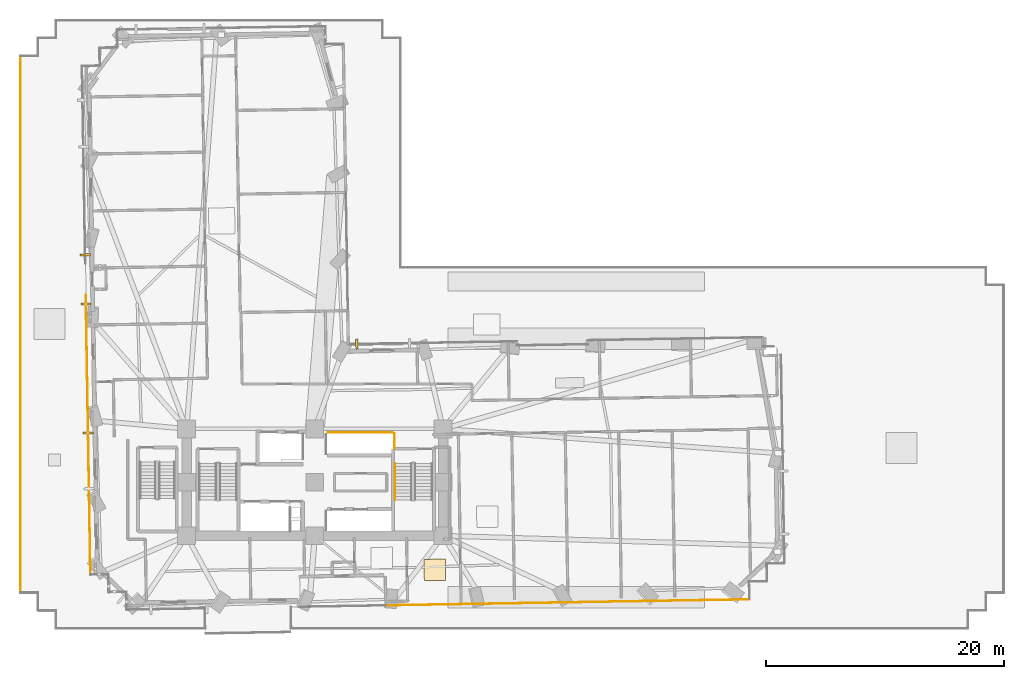
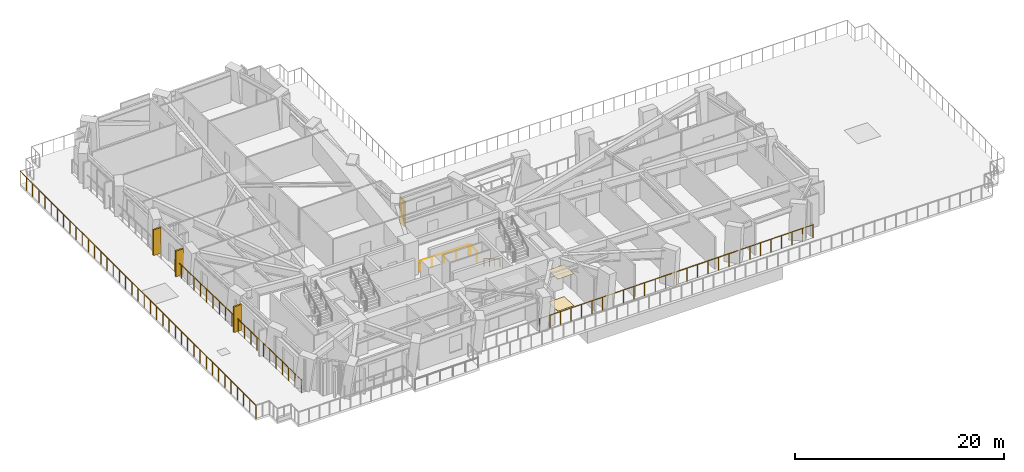
# One storey, part 12 of 17: 6 railings, 4 shading devices, 2 coverings.
"""IFC4 building model written with IfcOpenShell, lengths in metres."""

from ifc_helpers import new_model, si_unit, direction, frame, origin, origin_2d, place, context, subcontext, project, spatial, rectangle, circle, extrude, material, layer, layer_set, type_object, element, save


model = new_model("IFC4")

# Units and contexts
model_context = context("Model", 3, precision=1e-05, world=origin(), true_north=direction((0.0, 1.0)))
body_context = subcontext(model_context, "Body", "Model", "MODEL_VIEW")
ifc_project = project(units=[si_unit("LENGTHUNIT", "METRE"), si_unit("AREAUNIT", "SQUARE_METRE"), si_unit("VOLUMEUNIT", "CUBIC_METRE"), si_unit("PLANEANGLEUNIT", "RADIAN"), si_unit("MASSUNIT", "GRAM", prefix="KILO")], contexts=[model_context])

# Site, building, storey
site_placement = place(None, origin())
site = spatial("IfcSite", under=ifc_project, at=site_placement, CompositionType="ELEMENT")
building_placement = place(site_placement, origin())
building = spatial("IfcBuilding", under=site, at=building_placement, Name="Gaonmaruhae Medical Tower", CompositionType="ELEMENT")
storey_placement = place(building_placement, frame((0.0, 0.0, 27.0)))
storey = spatial("IfcBuildingStorey", under=building, at=storey_placement, Name="L05", CompositionType="ELEMENT", Elevation=27.0)

# Coverings
ifc_material_1 = material(Name="Acoustic mineral ceiling tile", Category="finish")
ifc_layer_1 = layer(ifc_material_1, 0.02490234375)
ifc_layer_set_1 = layer_set([ifc_layer_1], Name="Acoustic mineral ceiling tile")
covering_type_1 = type_object("IfcCoveringType", Name="CLG-01 Antimicrobial Acoustic Mineral Ceiling", PredefinedType="CEILING", material=ifc_layer_set_1)
covering_1_placement = place(storey_placement, frame((34.899658203125, 4.928466796875, 3.735107421875), z_axis=(0.0, 0.0, 1.0), x_axis=(0.999862544538, 0.016579868188, 0.0)))
element("IfcCovering", 1, at=covering_1_placement, inside=storey, type_object=covering_type_1, Name="L05 Clinical Room Acoustic Ceiling 3", PredefinedType="CEILING", context=body_context, shape_type="SweptSolid", body=[
    extrude(rectangle(XDim=1.800048828125, YDim=1.800048828125, at=origin_2d()), origin(), (0.0, 0.0, 1.0), 0.02490234375),
])
ifc_material_2 = material(Name="Seamless clinical vinyl flooring", Category="finish")
ifc_layer_2 = layer(ifc_material_2, 0.014892578125)
ifc_layer_set_2 = layer_set([ifc_layer_2], Name="Seamless clinical vinyl flooring")
covering_type_2 = type_object("IfcCoveringType", Name="FLR-01 Seamless Clinical Antistatic Vinyl Flooring", PredefinedType="FLOORING", material=ifc_layer_set_2)
covering_2_placement = place(storey_placement, frame((34.899658203125, 4.928466796875, 0.0), z_axis=(0.0, 0.0, 1.0), x_axis=(0.999862544538, 0.016579868188, 0.0)))
element("IfcCovering", 2, at=covering_2_placement, inside=storey, type_object=covering_type_2, Name="L05 Clinical Room Vinyl Flooring 3", PredefinedType="FLOORING", context=body_context, shape_type="SweptSolid", body=[
    extrude(rectangle(XDim=1.800048828125, YDim=1.800048828125, at=origin_2d()), origin(), (0.0, 0.0, 1.0), 0.014892578125),
])

# Railings
ifc_material_3 = material(Name="Stainless steel 316L and laminated safety glass", Category="steel")
ifc_layer_3 = layer(ifc_material_3, 0.080078125)
ifc_layer_set_3 = layer_set([ifc_layer_3], Name="Stainless steel 316L and laminated safety glass")
railing_type_1 = type_object("IfcRailingType", Name="GD-155 Planter-Edge Raised Safety Balustrade", PredefinedType="BALUSTRADE", material=ifc_layer_set_3)
railing_1_placement = place(storey_placement, frame((0.0, 3.0, 0.0)))
element("IfcRailing", 3, at=railing_1_placement, inside=storey, type_object=railing_type_1, Name="L05 Terrace Safety Guard RL-SLB-L05-PODROOF1-04", PredefinedType="BALUSTRADE", context=body_context, shape_type="SweptSolid", body=[
    extrude(circle(Radius=0.02392578125, at=origin_2d()), frame((0.0, 0.0, 1.52587890625), z_axis=(0.0, 1.0, 0.0), x_axis=(-1.0, 0.0, 0.0)), (0.0, 0.0, 1.0), 45.199951171875),
    extrude(circle(Radius=0.02099609375, at=origin_2d()), origin(), (0.0, 0.0, 1.0), 1.501953125),
    extrude(circle(Radius=0.02099609375, at=origin_2d()), frame((0.0, 1.189453125, 0.0)), (0.0, 0.0, 1.0), 1.501953125),
    extrude(circle(Radius=0.02099609375, at=origin_2d()), frame((0.0, 2.37890625, 0.0)), (0.0, 0.0, 1.0), 1.501953125),
    extrude(circle(Radius=0.02099609375, at=origin_2d()), frame((0.0, 3.568359375, 0.0)), (0.0, 0.0, 1.0), 1.501953125),
    extrude(circle(Radius=0.02099609375, at=origin_2d()), frame((0.0, 4.7578125, 0.0)), (0.0, 0.0, 1.0), 1.501953125),
    extrude(circle(Radius=0.02099609375, at=origin_2d()), frame((0.0, 5.947265625, 0.0)), (0.0, 0.0, 1.0), 1.501953125),
    extrude(circle(Radius=0.02099609375, at=origin_2d()), frame((0.0, 7.13671875, 0.0)), (0.0, 0.0, 1.0), 1.501953125),
    extrude(circle(Radius=0.02099609375, at=origin_2d()), frame((0.0, 8.326416015625, 0.0)), (0.0, 0.0, 1.0), 1.501953125),
    extrude(circle(Radius=0.02099609375, at=origin_2d()), frame((0.0, 9.515869140625, 0.0)), (0.0, 0.0, 1.0), 1.501953125),
    extrude(circle(Radius=0.02099609375, at=origin_2d()), frame((0.0, 10.705322265625, 0.0)), (0.0, 0.0, 1.0), 1.501953125),
    extrude(circle(Radius=0.02099609375, at=origin_2d()), frame((0.0, 11.894775390625, 0.0)), (0.0, 0.0, 1.0), 1.501953125),
    extrude(circle(Radius=0.02099609375, at=origin_2d()), frame((0.0, 13.084228515625, 0.0)), (0.0, 0.0, 1.0), 1.501953125),
    extrude(circle(Radius=0.02099609375, at=origin_2d()), frame((0.0, 14.273681640625, 0.0)), (0.0, 0.0, 1.0), 1.501953125),
    extrude(circle(Radius=0.02099609375, at=origin_2d()), frame((0.0, 15.463134765625, 0.0)), (0.0, 0.0, 1.0), 1.501953125),
    extrude(circle(Radius=0.02099609375, at=origin_2d()), frame((0.0, 16.652587890625, 0.0)), (0.0, 0.0, 1.0), 1.501953125),
    extrude(circle(Radius=0.02099609375, at=origin_2d()), frame((0.0, 17.842041015625, 0.0)), (0.0, 0.0, 1.0), 1.501953125),
    extrude(circle(Radius=0.02099609375, at=origin_2d()), frame((0.0, 19.031494140625, 0.0)), (0.0, 0.0, 1.0), 1.501953125),
    extrude(circle(Radius=0.02099609375, at=origin_2d()), frame((0.0, 20.220947265625, 0.0)), (0.0, 0.0, 1.0), 1.501953125),
    extrude(circle(Radius=0.02099609375, at=origin_2d()), frame((0.0, 21.410400390625, 0.0)), (0.0, 0.0, 1.0), 1.501953125),
    extrude(circle(Radius=0.02099609375, at=origin_2d()), frame((0.0, 22.60009765625, 0.0)), (0.0, 0.0, 1.0), 1.501953125),
    extrude(circle(Radius=0.02099609375, at=origin_2d()), frame((0.0, 23.78955078125, 0.0)), (0.0, 0.0, 1.0), 1.501953125),
    extrude(circle(Radius=0.02099609375, at=origin_2d()), frame((0.0, 24.97900390625, 0.0)), (0.0, 0.0, 1.0), 1.501953125),
    extrude(circle(Radius=0.02099609375, at=origin_2d()), frame((0.0, 26.16845703125, 0.0)), (0.0, 0.0, 1.0), 1.501953125),
    extrude(circle(Radius=0.02099609375, at=origin_2d()), frame((0.0, 27.35791015625, 0.0)), (0.0, 0.0, 1.0), 1.501953125),
    extrude(circle(Radius=0.02099609375, at=origin_2d()), frame((0.0, 28.54736328125, 0.0)), (0.0, 0.0, 1.0), 1.501953125),
    extrude(circle(Radius=0.02099609375, at=origin_2d()), frame((0.0, 29.73681640625, 0.0)), (0.0, 0.0, 1.0), 1.501953125),
    extrude(circle(Radius=0.02099609375, at=origin_2d()), frame((0.0, 30.92626953125, 0.0)), (0.0, 0.0, 1.0), 1.501953125),
    extrude(circle(Radius=0.02099609375, at=origin_2d()), frame((0.0, 32.11572265625, 0.0)), (0.0, 0.0, 1.0), 1.501953125),
    extrude(circle(Radius=0.02099609375, at=origin_2d()), frame((0.0, 33.30517578125, 0.0)), (0.0, 0.0, 1.0), 1.501953125),
    extrude(circle(Radius=0.02099609375, at=origin_2d()), frame((0.0, 34.49462890625, 0.0)), (0.0, 0.0, 1.0), 1.501953125),
    extrude(circle(Radius=0.02099609375, at=origin_2d()), frame((0.0, 35.68408203125, 0.0)), (0.0, 0.0, 1.0), 1.501953125),
    extrude(circle(Radius=0.02099609375, at=origin_2d()), frame((0.0, 36.87353515625, 0.0)), (0.0, 0.0, 1.0), 1.501953125),
    extrude(circle(Radius=0.02099609375, at=origin_2d()), frame((0.0, 38.063232421875, 0.0)), (0.0, 0.0, 1.0), 1.501953125),
    extrude(circle(Radius=0.02099609375, at=origin_2d()), frame((0.0, 39.252685546875, 0.0)), (0.0, 0.0, 1.0), 1.501953125),
    extrude(circle(Radius=0.02099609375, at=origin_2d()), frame((0.0, 40.442138671875, 0.0)), (0.0, 0.0, 1.0), 1.501953125),
    extrude(circle(Radius=0.02099609375, at=origin_2d()), frame((0.0, 41.631591796875, 0.0)), (0.0, 0.0, 1.0), 1.501953125),
    extrude(circle(Radius=0.02099609375, at=origin_2d()), frame((0.0, 42.821044921875, 0.0)), (0.0, 0.0, 1.0), 1.501953125),
    extrude(circle(Radius=0.02099609375, at=origin_2d()), frame((0.0, 44.010498046875, 0.0)), (0.0, 0.0, 1.0), 1.501953125),
    extrude(circle(Radius=0.02099609375, at=origin_2d()), frame((0.0, 45.199951171875, 0.0)), (0.0, 0.0, 1.0), 1.501953125),
])
railing_2_placement = place(storey_placement, frame((30.764892578125, 1.9296875, 0.0)))
element("IfcRailing", 4, at=railing_2_placement, inside=storey, type_object=railing_type_1, Name="L05 Terrace Safety Guard RL-SLB-L05-PODROOF1-25", PredefinedType="BALUSTRADE", context=body_context, shape_type="SweptSolid", body=[
    extrude(circle(Radius=0.02392578125, at=origin_2d()), frame((0.0, 0.0, 1.52587890625), z_axis=(0.999862414936, 0.016587682135, 0.0), x_axis=(-0.016587682135, 0.999862414936, 0.0)), (0.0, 0.0, 1.0), 30.61376953125),
    extrude(circle(Radius=0.02099609375, at=origin_2d()), origin(), (0.0, 0.0, 1.0), 1.501953125),
    extrude(circle(Radius=0.02099609375, at=origin_2d()), frame((1.17724609375, 0.01953125, 0.0)), (0.0, 0.0, 1.0), 1.501953125),
    extrude(circle(Radius=0.02099609375, at=origin_2d()), frame((2.3544921875, 0.0390625, 0.0)), (0.0, 0.0, 1.0), 1.501953125),
    extrude(circle(Radius=0.02099609375, at=origin_2d()), frame((3.531982421875, 0.05859375, 0.0)), (0.0, 0.0, 1.0), 1.501953125),
    extrude(circle(Radius=0.02099609375, at=origin_2d()), frame((4.709228515625, 0.078125, 0.0)), (0.0, 0.0, 1.0), 1.501953125),
    extrude(circle(Radius=0.02099609375, at=origin_2d()), frame((5.886474609375, 0.09765625, 0.0)), (0.0, 0.0, 1.0), 1.501953125),
    extrude(circle(Radius=0.02099609375, at=origin_2d()), frame((7.063720703125, 0.1171875, 0.0)), (0.0, 0.0, 1.0), 1.501953125),
    extrude(circle(Radius=0.02099609375, at=origin_2d()), frame((8.240966796875, 0.13671875, 0.0)), (0.0, 0.0, 1.0), 1.501953125),
    extrude(circle(Radius=0.02099609375, at=origin_2d()), frame((9.41845703125, 0.15625, 0.0)), (0.0, 0.0, 1.0), 1.501953125),
    extrude(circle(Radius=0.02099609375, at=origin_2d()), frame((10.595703125, 0.17578125, 0.0)), (0.0, 0.0, 1.0), 1.501953125),
    extrude(circle(Radius=0.02099609375, at=origin_2d()), frame((11.77294921875, 0.1953125, 0.0)), (0.0, 0.0, 1.0), 1.501953125),
    extrude(circle(Radius=0.02099609375, at=origin_2d()), frame((12.9501953125, 0.21484375, 0.0)), (0.0, 0.0, 1.0), 1.501953125),
    extrude(circle(Radius=0.02099609375, at=origin_2d()), frame((14.12744140625, 0.234375, 0.0)), (0.0, 0.0, 1.0), 1.501953125),
    extrude(circle(Radius=0.02099609375, at=origin_2d()), frame((15.3046875, 0.25390625, 0.0)), (0.0, 0.0, 1.0), 1.501953125),
    extrude(circle(Radius=0.02099609375, at=origin_2d()), frame((16.482177734375, 0.2734375, 0.0)), (0.0, 0.0, 1.0), 1.501953125),
    extrude(circle(Radius=0.02099609375, at=origin_2d()), frame((17.659423828125, 0.29296875, 0.0)), (0.0, 0.0, 1.0), 1.501953125),
    extrude(circle(Radius=0.02099609375, at=origin_2d()), frame((18.836669921875, 0.3125, 0.0)), (0.0, 0.0, 1.0), 1.501953125),
    extrude(circle(Radius=0.02099609375, at=origin_2d()), frame((20.013916015625, 0.33203125, 0.0)), (0.0, 0.0, 1.0), 1.501953125),
    extrude(circle(Radius=0.02099609375, at=origin_2d()), frame((21.191162109375, 0.3515625, 0.0)), (0.0, 0.0, 1.0), 1.501953125),
    extrude(circle(Radius=0.02099609375, at=origin_2d()), frame((22.36865234375, 0.37109375, 0.0)), (0.0, 0.0, 1.0), 1.501953125),
    extrude(circle(Radius=0.02099609375, at=origin_2d()), frame((23.5458984375, 0.390625, 0.0)), (0.0, 0.0, 1.0), 1.501953125),
    extrude(circle(Radius=0.02099609375, at=origin_2d()), frame((24.72314453125, 0.41015625, 0.0)), (0.0, 0.0, 1.0), 1.501953125),
    extrude(circle(Radius=0.02099609375, at=origin_2d()), frame((25.900390625, 0.4296875, 0.0)), (0.0, 0.0, 1.0), 1.501953125),
    extrude(circle(Radius=0.02099609375, at=origin_2d()), frame((27.07763671875, 0.44921875, 0.0)), (0.0, 0.0, 1.0), 1.501953125),
    extrude(circle(Radius=0.02099609375, at=origin_2d()), frame((28.255126953125, 0.46875, 0.0)), (0.0, 0.0, 1.0), 1.501953125),
    extrude(circle(Radius=0.02099609375, at=origin_2d()), frame((29.432373046875, 0.48828125, 0.0)), (0.0, 0.0, 1.0), 1.501953125),
    extrude(circle(Radius=0.02099609375, at=origin_2d()), frame((30.609619140625, 0.5078125, 0.0)), (0.0, 0.0, 1.0), 1.501953125),
])
railing_3_placement = place(storey_placement, frame((5.522216796875, 28.051025390625, 0.0)))
element("IfcRailing", 5, at=railing_3_placement, inside=storey, type_object=railing_type_1, Name="L05 Terrace Safety Guard RL-SLB-L05-PODROOF1-256B", PredefinedType="BALUSTRADE", context=body_context, shape_type="SweptSolid", body=[
    extrude(circle(Radius=0.02392578125, at=origin_2d()), frame((0.0, 0.0, 1.52587890625), z_axis=(0.016579763951, -0.999862546267, 0.0), x_axis=(0.999862546267, 0.016579763951, 0.0)), (0.0, 0.0, 1.0), 23.51611328125),
    extrude(circle(Radius=0.02099609375, at=origin_2d()), origin(), (0.0, 0.0, 1.0), 1.501953125),
    extrude(circle(Radius=0.02099609375, at=origin_2d()), frame((0.01953125, -1.175537109375, 0.0)), (0.0, 0.0, 1.0), 1.501953125),
    extrude(circle(Radius=0.02099609375, at=origin_2d()), frame((0.0390625, -2.351318359375, 0.0)), (0.0, 0.0, 1.0), 1.501953125),
    extrude(circle(Radius=0.02099609375, at=origin_2d()), frame((0.05859375, -3.52685546875, 0.0)), (0.0, 0.0, 1.0), 1.501953125),
    extrude(circle(Radius=0.02099609375, at=origin_2d()), frame((0.077880859375, -4.70263671875, 0.0)), (0.0, 0.0, 1.0), 1.501953125),
    extrude(circle(Radius=0.02099609375, at=origin_2d()), frame((0.097412109375, -5.878173828125, 0.0)), (0.0, 0.0, 1.0), 1.501953125),
    extrude(circle(Radius=0.02099609375, at=origin_2d()), frame((0.116943359375, -7.053955078125, 0.0)), (0.0, 0.0, 1.0), 1.501953125),
    extrude(circle(Radius=0.02099609375, at=origin_2d()), frame((0.136474609375, -8.2294921875, 0.0)), (0.0, 0.0, 1.0), 1.501953125),
    extrude(circle(Radius=0.02099609375, at=origin_2d()), frame((0.156005859375, -9.4052734375, 0.0)), (0.0, 0.0, 1.0), 1.501953125),
    extrude(circle(Radius=0.02099609375, at=origin_2d()), frame((0.175537109375, -10.580810546875, 0.0)), (0.0, 0.0, 1.0), 1.501953125),
    extrude(circle(Radius=0.02099609375, at=origin_2d()), frame((0.19482421875, -11.75634765625, 0.0)), (0.0, 0.0, 1.0), 1.501953125),
    extrude(circle(Radius=0.02099609375, at=origin_2d()), frame((0.21435546875, -12.93212890625, 0.0)), (0.0, 0.0, 1.0), 1.501953125),
    extrude(circle(Radius=0.02099609375, at=origin_2d()), frame((0.23388671875, -14.107666015625, 0.0)), (0.0, 0.0, 1.0), 1.501953125),
    extrude(circle(Radius=0.02099609375, at=origin_2d()), frame((0.25341796875, -15.283447265625, 0.0)), (0.0, 0.0, 1.0), 1.501953125),
    extrude(circle(Radius=0.02099609375, at=origin_2d()), frame((0.27294921875, -16.458984375, 0.0)), (0.0, 0.0, 1.0), 1.501953125),
    extrude(circle(Radius=0.02099609375, at=origin_2d()), frame((0.29248046875, -17.634765625, 0.0)), (0.0, 0.0, 1.0), 1.501953125),
    extrude(circle(Radius=0.02099609375, at=origin_2d()), frame((0.31201171875, -18.810302734375, 0.0)), (0.0, 0.0, 1.0), 1.501953125),
    extrude(circle(Radius=0.02099609375, at=origin_2d()), frame((0.331298828125, -19.986083984375, 0.0)), (0.0, 0.0, 1.0), 1.501953125),
    extrude(circle(Radius=0.02099609375, at=origin_2d()), frame((0.350830078125, -21.16162109375, 0.0)), (0.0, 0.0, 1.0), 1.501953125),
    extrude(circle(Radius=0.02099609375, at=origin_2d()), frame((0.370361328125, -22.33740234375, 0.0)), (0.0, 0.0, 1.0), 1.501953125),
    extrude(circle(Radius=0.02099609375, at=origin_2d()), frame((0.389892578125, -23.512939453125, 0.0)), (0.0, 0.0, 1.0), 1.501953125),
])
ifc_material_4 = material(Name="Stainless steel 304 handrail", Category="steel")
railing_type_2 = type_object("IfcRailingType", Name="HR-092 Continuous Stainless Steel Stair Handrail", PredefinedType="HANDRAIL", material=ifc_material_4)
railing_4_placement = place(storey_placement, frame((31.550048828125, 13.89990234375, 0.166748046875)))
element("IfcRailing", 6, at=railing_4_placement, inside=storey, type_object=railing_type_2, Name="L05 ST-02 stair handrail 1", PredefinedType="HANDRAIL", context=body_context, shape_type="SweptSolid", body=[
    extrude(circle(Radius=0.02392578125, at=origin_2d()), frame((0.0, 0.0, 0.8759765625), z_axis=(0.0, -0.859290745958, 0.51148745235), x_axis=(1.0, 0.0, 0.0)), (0.0, 0.0, 1.0), 3.584228515625),
    extrude(circle(Radius=0.02099609375, at=origin_2d()), origin(), (0.0, 0.0, 1.0), 0.851806640625),
    extrude(circle(Radius=0.02099609375, at=origin_2d()), frame((0.0, -1.026611328125, 0.611083984375)), (0.0, 0.0, 1.0), 0.851806640625),
    extrude(circle(Radius=0.02099609375, at=origin_2d()), frame((0.0, -2.05322265625, 1.22216796875)), (0.0, 0.0, 1.0), 0.851806640625),
    extrude(circle(Radius=0.02099609375, at=origin_2d()), frame((0.0, -3.079833984375, 1.833251953125)), (0.0, 0.0, 1.0), 0.851806640625),
])

# Shading devices
ifc_material_5 = material(Name="Pigmented coral precast concrete C45/55", Category="concrete")
shading_device_type = type_object("IfcShadingDeviceType", Name="SD-FIN1 Tower Vertical Coral Precast Shading Fin", PredefinedType="USERDEFINED", material=ifc_material_5)
for number, where, z_axis, x_axis, name in (
    (7, (28.330810546875, 23.927490234375, 0.08251953125), (0.0, 0.0, 1.0), (0.999862544538, 0.016579868188, 0.0), "L05 Vertical Coral Precast Shading Fin EN04"),
    (8, (5.539306640625, 27.315185546875, 0.08251953125), (0.0, 0.0, 1.0), (-0.016562417292, 0.999862833759, 0.0), "L05 Vertical Coral Precast Shading Fin W03"),
    (9, (5.470703125, 31.452392578125, 0.08251953125), (0.0, 0.0, 1.0), (-0.016562417292, 0.999862833759, 0.0), "L05 Vertical Coral Precast Shading Fin W03B"),
    (10, (5.719482421875, 16.4541015625, 0.08251953125), (0.0, 0.0, 1.0), (-0.016579868188, 0.999862544538, 0.0), "L05 Vertical Coral Precast Shading Fin W05B"),
):
    element("IfcShadingDevice", number, at=place(storey_placement, frame(where, z_axis=z_axis, x_axis=x_axis)), inside=storey, type_object=shading_device_type, Name=name, ObjectType="FIN", PredefinedType="USERDEFINED", context=body_context, shape_type="SweptSolid", body=[
        extrude(rectangle(XDim=0.179931640625, YDim=0.85009765625, at=origin_2d()), origin(), (0.0, 0.0, 1.0), 3.0),
    ])

# Railings
ifc_material_6 = material(Name="Stainless steel 304 balustrade", Category="steel")
railing_type_3 = type_object("IfcRailingType", Name="SG-112 Stair Well & Ramp Void Safety Balustrade", PredefinedType="BALUSTRADE", material=ifc_material_6)
railing_5_placement = place(storey_placement, frame((31.4951171875, 16.405029296875, 0.0)))
element("IfcRailing", 11, at=railing_5_placement, inside=storey, type_object=railing_type_3, Name="L05 Shaft Edge Safety Guard 06", PredefinedType="BALUSTRADE", context=body_context, shape_type="SweptSolid", body=[
    extrude(circle(Radius=0.02392578125, at=origin_2d()), frame((0.0, 0.0, 1.17578125), z_axis=(0.0, -1.0, 0.0), x_axis=(1.0, 0.0, 0.0)), (0.0, 0.0, 1.0), 1.284912109375),
    extrude(circle(Radius=0.02099609375, at=origin_2d()), origin(), (0.0, 0.0, 1.0), 1.15185546875),
    extrude(circle(Radius=0.02099609375, at=origin_2d()), frame((0.0, -1.284912109375, 0.0)), (0.0, 0.0, 1.0), 1.15185546875),
])
railing_6_placement = place(storey_placement, frame((25.919921875, 16.4951171875, 0.0)))
element("IfcRailing", 12, at=railing_6_placement, inside=storey, type_object=railing_type_3, Name="L05 Shaft Edge Safety Guard 08", PredefinedType="BALUSTRADE", context=body_context, shape_type="SweptSolid", body=[
    extrude(circle(Radius=0.02392578125, at=origin_2d()), frame((0.0, 0.0, 1.17578125), z_axis=(1.0, 0.0, 0.0), x_axis=(0.0, 1.0, 0.0)), (0.0, 0.0, 1.0), 5.41015625),
    extrude(circle(Radius=0.02099609375, at=origin_2d()), origin(), (0.0, 0.0, 1.0), 1.15185546875),
    extrude(circle(Radius=0.02099609375, at=origin_2d()), frame((1.3525390625, 0.0, 0.0)), (0.0, 0.0, 1.0), 1.15185546875),
    extrude(circle(Radius=0.02099609375, at=origin_2d()), frame((2.705078125, 0.0, 0.0)), (0.0, 0.0, 1.0), 1.15185546875),
    extrude(circle(Radius=0.02099609375, at=origin_2d()), frame((4.0576171875, 0.0, 0.0)), (0.0, 0.0, 1.0), 1.15185546875),
    extrude(circle(Radius=0.02099609375, at=origin_2d()), frame((5.41015625, 0.0, 0.0)), (0.0, 0.0, 1.0), 1.15185546875),
])

save(model, "model.ifc")
